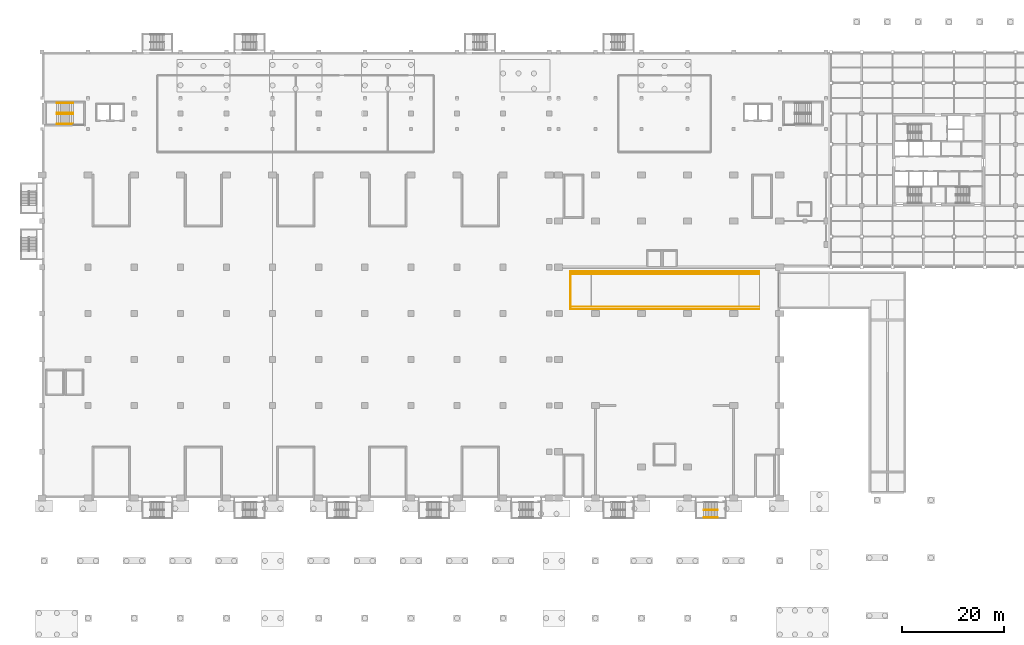
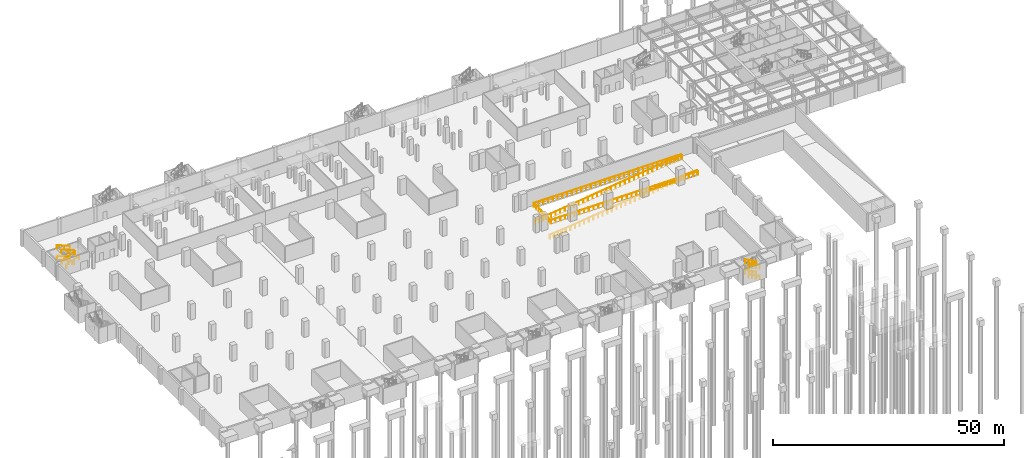
# One storey, part 25 of 27: 16 railings.
"""IFC4 building model written with IfcOpenShell, lengths in metres."""

from ifc_helpers import new_model, si_unit, direction, frame, origin, origin_2d, place, context, subcontext, project, spatial, circle, extrude, material, type_object, element, save


model = new_model("IFC4")

# Units and contexts
model_context = context("Model", 3, precision=1e-05, world=origin(), true_north=direction((0.0, 1.0)))
body_context = subcontext(model_context, "Body", "Model", "MODEL_VIEW")
ifc_project = project(units=[si_unit("LENGTHUNIT", "METRE"), si_unit("AREAUNIT", "SQUARE_METRE"), si_unit("VOLUMEUNIT", "CUBIC_METRE"), si_unit("PLANEANGLEUNIT", "RADIAN"), si_unit("MASSUNIT", "GRAM", prefix="KILO")], contexts=[model_context])

# Site, building, storey
site_placement = place(None, origin())
site = spatial("IfcSite", under=ifc_project, at=site_placement, CompositionType="ELEMENT")
building_placement = place(site_placement, origin())
building = spatial("IfcBuilding", under=site, at=building_placement, Name="Aravalli Gate Trade Fair Centre", CompositionType="ELEMENT")
storey_placement = place(building_placement, frame((0.0, 0.0, -4.199951171875)))
storey = spatial("IfcBuildingStorey", under=building, at=storey_placement, Name="B1", CompositionType="ELEMENT", Elevation=-4.199951171875)

# Railings
ifc_material = material(Name="Steel E350", Category="steel")
railing_type_1 = type_object("IfcRailingType", Name="Basement ramp guard 1100", PredefinedType="GUARDRAIL", material=ifc_material)
railing_1_placement = place(storey_placement, frame((146.0, 82.800048828125, 0.0)))
element("IfcRailing", 1, at=railing_1_placement, inside=storey, type_object=railing_type_1, Name="Ramp opening guard south", PredefinedType="GUARDRAIL", context=body_context, shape_type="SweptSolid", body=[
    extrude(circle(Radius=0.02392578125, at=origin_2d()), frame((0.0, 0.0, 1.076171875), z_axis=(-1.0, 0.0, 0.0), x_axis=(0.0, -1.0, 0.0)), (0.0, 0.0, 1.0), 36.8232421875),
    extrude(circle(Radius=0.02099609375, at=origin_2d()), origin(), (0.0, 0.0, 1.0), 1.052001953125),
    extrude(circle(Radius=0.02099609375, at=origin_2d()), frame((-1.187744140625, 0.0, 0.0)), (0.0, 0.0, 1.0), 1.052001953125),
    extrude(circle(Radius=0.02099609375, at=origin_2d()), frame((-2.375732421875, 0.0, 0.0)), (0.0, 0.0, 1.0), 1.052001953125),
    extrude(circle(Radius=0.02099609375, at=origin_2d()), frame((-3.5634765625, 0.0, 0.0)), (0.0, 0.0, 1.0), 1.052001953125),
    extrude(circle(Radius=0.02099609375, at=origin_2d()), frame((-4.75146484375, 0.0, 0.0)), (0.0, 0.0, 1.0), 1.052001953125),
    extrude(circle(Radius=0.02099609375, at=origin_2d()), frame((-5.939208984375, 0.0, 0.0)), (0.0, 0.0, 1.0), 1.052001953125),
    extrude(circle(Radius=0.02099609375, at=origin_2d()), frame((-7.127197265625, 0.0, 0.0)), (0.0, 0.0, 1.0), 1.052001953125),
    extrude(circle(Radius=0.02099609375, at=origin_2d()), frame((-8.31494140625, 0.0, 0.0)), (0.0, 0.0, 1.0), 1.052001953125),
    extrude(circle(Radius=0.02099609375, at=origin_2d()), frame((-9.502685546875, 0.0, 0.0)), (0.0, 0.0, 1.0), 1.052001953125),
    extrude(circle(Radius=0.02099609375, at=origin_2d()), frame((-10.690673828125, 0.0, 0.0)), (0.0, 0.0, 1.0), 1.052001953125),
    extrude(circle(Radius=0.02099609375, at=origin_2d()), frame((-11.87841796875, 0.0, 0.0)), (0.0, 0.0, 1.0), 1.052001953125),
    extrude(circle(Radius=0.02099609375, at=origin_2d()), frame((-13.06640625, 0.0, 0.0)), (0.0, 0.0, 1.0), 1.052001953125),
    extrude(circle(Radius=0.02099609375, at=origin_2d()), frame((-14.254150390625, 0.0, 0.0)), (0.0, 0.0, 1.0), 1.052001953125),
    extrude(circle(Radius=0.02099609375, at=origin_2d()), frame((-15.44189453125, 0.0, 0.0)), (0.0, 0.0, 1.0), 1.052001953125),
    extrude(circle(Radius=0.02099609375, at=origin_2d()), frame((-16.6298828125, 0.0, 0.0)), (0.0, 0.0, 1.0), 1.052001953125),
    extrude(circle(Radius=0.02099609375, at=origin_2d()), frame((-17.817626953125, 0.0, 0.0)), (0.0, 0.0, 1.0), 1.052001953125),
    extrude(circle(Radius=0.02099609375, at=origin_2d()), frame((-19.005615234375, 0.0, 0.0)), (0.0, 0.0, 1.0), 1.052001953125),
    extrude(circle(Radius=0.02099609375, at=origin_2d()), frame((-20.193359375, 0.0, 0.0)), (0.0, 0.0, 1.0), 1.052001953125),
    extrude(circle(Radius=0.02099609375, at=origin_2d()), frame((-21.38134765625, 0.0, 0.0)), (0.0, 0.0, 1.0), 1.052001953125),
    extrude(circle(Radius=0.02099609375, at=origin_2d()), frame((-22.569091796875, 0.0, 0.0)), (0.0, 0.0, 1.0), 1.052001953125),
    extrude(circle(Radius=0.02099609375, at=origin_2d()), frame((-23.7568359375, 0.0, 0.0)), (0.0, 0.0, 1.0), 1.052001953125),
    extrude(circle(Radius=0.02099609375, at=origin_2d()), frame((-24.94482421875, 0.0, 0.0)), (0.0, 0.0, 1.0), 1.052001953125),
    extrude(circle(Radius=0.02099609375, at=origin_2d()), frame((-26.132568359375, 0.0, 0.0)), (0.0, 0.0, 1.0), 1.052001953125),
    extrude(circle(Radius=0.02099609375, at=origin_2d()), frame((-27.320556640625, 0.0, 0.0)), (0.0, 0.0, 1.0), 1.052001953125),
    extrude(circle(Radius=0.02099609375, at=origin_2d()), frame((-28.50830078125, 0.0, 0.0)), (0.0, 0.0, 1.0), 1.052001953125),
    extrude(circle(Radius=0.02099609375, at=origin_2d()), frame((-29.696044921875, 0.0, 0.0)), (0.0, 0.0, 1.0), 1.052001953125),
    extrude(circle(Radius=0.02099609375, at=origin_2d()), frame((-30.884033203125, 0.0, 0.0)), (0.0, 0.0, 1.0), 1.052001953125),
    extrude(circle(Radius=0.02099609375, at=origin_2d()), frame((-32.07177734375, 0.0, 0.0)), (0.0, 0.0, 1.0), 1.052001953125),
    extrude(circle(Radius=0.02099609375, at=origin_2d()), frame((-33.259765625, 0.0, 0.0)), (0.0, 0.0, 1.0), 1.052001953125),
    extrude(circle(Radius=0.02099609375, at=origin_2d()), frame((-34.447509765625, 0.0, 0.0)), (0.0, 0.0, 1.0), 1.052001953125),
    extrude(circle(Radius=0.02099609375, at=origin_2d()), frame((-35.635498046875, 0.0, 0.0)), (0.0, 0.0, 1.0), 1.052001953125),
    extrude(circle(Radius=0.02099609375, at=origin_2d()), frame((-36.8232421875, 0.0, 0.0)), (0.0, 0.0, 1.0), 1.052001953125),
])
railing_2_placement = place(storey_placement, frame((146.0, 90.199951171875, 0.0)))
element("IfcRailing", 2, at=railing_2_placement, inside=storey, type_object=railing_type_1, Name="Ramp opening guard north", PredefinedType="GUARDRAIL", context=body_context, shape_type="SweptSolid", body=[
    extrude(circle(Radius=0.02392578125, at=origin_2d()), frame((0.0, 0.0, 1.076171875), z_axis=(-1.0, 0.0, 0.0), x_axis=(0.0, -1.0, 0.0)), (0.0, 0.0, 1.0), 36.8232421875),
    extrude(circle(Radius=0.02099609375, at=origin_2d()), origin(), (0.0, 0.0, 1.0), 1.052001953125),
    extrude(circle(Radius=0.02099609375, at=origin_2d()), frame((-1.187744140625, 0.0, 0.0)), (0.0, 0.0, 1.0), 1.052001953125),
    extrude(circle(Radius=0.02099609375, at=origin_2d()), frame((-2.375732421875, 0.0, 0.0)), (0.0, 0.0, 1.0), 1.052001953125),
    extrude(circle(Radius=0.02099609375, at=origin_2d()), frame((-3.5634765625, 0.0, 0.0)), (0.0, 0.0, 1.0), 1.052001953125),
    extrude(circle(Radius=0.02099609375, at=origin_2d()), frame((-4.75146484375, 0.0, 0.0)), (0.0, 0.0, 1.0), 1.052001953125),
    extrude(circle(Radius=0.02099609375, at=origin_2d()), frame((-5.939208984375, 0.0, 0.0)), (0.0, 0.0, 1.0), 1.052001953125),
    extrude(circle(Radius=0.02099609375, at=origin_2d()), frame((-7.127197265625, 0.0, 0.0)), (0.0, 0.0, 1.0), 1.052001953125),
    extrude(circle(Radius=0.02099609375, at=origin_2d()), frame((-8.31494140625, 0.0, 0.0)), (0.0, 0.0, 1.0), 1.052001953125),
    extrude(circle(Radius=0.02099609375, at=origin_2d()), frame((-9.502685546875, 0.0, 0.0)), (0.0, 0.0, 1.0), 1.052001953125),
    extrude(circle(Radius=0.02099609375, at=origin_2d()), frame((-10.690673828125, 0.0, 0.0)), (0.0, 0.0, 1.0), 1.052001953125),
    extrude(circle(Radius=0.02099609375, at=origin_2d()), frame((-11.87841796875, 0.0, 0.0)), (0.0, 0.0, 1.0), 1.052001953125),
    extrude(circle(Radius=0.02099609375, at=origin_2d()), frame((-13.06640625, 0.0, 0.0)), (0.0, 0.0, 1.0), 1.052001953125),
    extrude(circle(Radius=0.02099609375, at=origin_2d()), frame((-14.254150390625, 0.0, 0.0)), (0.0, 0.0, 1.0), 1.052001953125),
    extrude(circle(Radius=0.02099609375, at=origin_2d()), frame((-15.44189453125, 0.0, 0.0)), (0.0, 0.0, 1.0), 1.052001953125),
    extrude(circle(Radius=0.02099609375, at=origin_2d()), frame((-16.6298828125, 0.0, 0.0)), (0.0, 0.0, 1.0), 1.052001953125),
    extrude(circle(Radius=0.02099609375, at=origin_2d()), frame((-17.817626953125, 0.0, 0.0)), (0.0, 0.0, 1.0), 1.052001953125),
    extrude(circle(Radius=0.02099609375, at=origin_2d()), frame((-19.005615234375, 0.0, 0.0)), (0.0, 0.0, 1.0), 1.052001953125),
    extrude(circle(Radius=0.02099609375, at=origin_2d()), frame((-20.193359375, 0.0, 0.0)), (0.0, 0.0, 1.0), 1.052001953125),
    extrude(circle(Radius=0.02099609375, at=origin_2d()), frame((-21.38134765625, 0.0, 0.0)), (0.0, 0.0, 1.0), 1.052001953125),
    extrude(circle(Radius=0.02099609375, at=origin_2d()), frame((-22.569091796875, 0.0, 0.0)), (0.0, 0.0, 1.0), 1.052001953125),
    extrude(circle(Radius=0.02099609375, at=origin_2d()), frame((-23.7568359375, 0.0, 0.0)), (0.0, 0.0, 1.0), 1.052001953125),
    extrude(circle(Radius=0.02099609375, at=origin_2d()), frame((-24.94482421875, 0.0, 0.0)), (0.0, 0.0, 1.0), 1.052001953125),
    extrude(circle(Radius=0.02099609375, at=origin_2d()), frame((-26.132568359375, 0.0, 0.0)), (0.0, 0.0, 1.0), 1.052001953125),
    extrude(circle(Radius=0.02099609375, at=origin_2d()), frame((-27.320556640625, 0.0, 0.0)), (0.0, 0.0, 1.0), 1.052001953125),
    extrude(circle(Radius=0.02099609375, at=origin_2d()), frame((-28.50830078125, 0.0, 0.0)), (0.0, 0.0, 1.0), 1.052001953125),
    extrude(circle(Radius=0.02099609375, at=origin_2d()), frame((-29.696044921875, 0.0, 0.0)), (0.0, 0.0, 1.0), 1.052001953125),
    extrude(circle(Radius=0.02099609375, at=origin_2d()), frame((-30.884033203125, 0.0, 0.0)), (0.0, 0.0, 1.0), 1.052001953125),
    extrude(circle(Radius=0.02099609375, at=origin_2d()), frame((-32.07177734375, 0.0, 0.0)), (0.0, 0.0, 1.0), 1.052001953125),
    extrude(circle(Radius=0.02099609375, at=origin_2d()), frame((-33.259765625, 0.0, 0.0)), (0.0, 0.0, 1.0), 1.052001953125),
    extrude(circle(Radius=0.02099609375, at=origin_2d()), frame((-34.447509765625, 0.0, 0.0)), (0.0, 0.0, 1.0), 1.052001953125),
    extrude(circle(Radius=0.02099609375, at=origin_2d()), frame((-35.635498046875, 0.0, 0.0)), (0.0, 0.0, 1.0), 1.052001953125),
    extrude(circle(Radius=0.02099609375, at=origin_2d()), frame((-36.8232421875, 0.0, 0.0)), (0.0, 0.0, 1.0), 1.052001953125),
])
railing_3_placement = place(storey_placement, frame((146.0, 83.300048828125, 0.0)))
element("IfcRailing", 3, at=railing_3_placement, inside=storey, type_object=railing_type_1, Name="Ramp edge guard south", PredefinedType="GUARDRAIL", context=body_context, shape_type="SweptSolid", body=[
    extrude(circle(Radius=0.02392578125, at=origin_2d()), frame((0.0, 0.0, 1.076171875), z_axis=(-0.998052578483, 0.0, -0.062378286155), x_axis=(0.0, -1.0, 0.0)), (0.0, 0.0, 1.0), 4.0078125),
    extrude(circle(Radius=0.02392578125, at=origin_2d()), frame((-4.0, 0.0, 0.826171875), z_axis=(-0.992277359483, 0.0, -0.124038872364), x_axis=(0.0, -1.0, 0.0)), (0.0, 0.0, 1.0), 29.047607421875),
    extrude(circle(Radius=0.02392578125, at=origin_2d()), frame((-32.8232421875, 0.0, -2.77685546875), z_axis=(-0.996259957545, 0.0, -0.08640657957), x_axis=(0.0, -1.0, 0.0)), (0.0, 0.0, 1.0), 4.01513671875),
    extrude(circle(Radius=0.02099609375, at=origin_2d()), origin(), (0.0, 0.0, 1.0), 1.052001953125),
    extrude(circle(Radius=0.02099609375, at=origin_2d()), frame((-1.0, 0.0, -0.0625)), (0.0, 0.0, 1.0), 1.052001953125),
    extrude(circle(Radius=0.02099609375, at=origin_2d()), frame((-2.0, 0.0, -0.125)), (0.0, 0.0, 1.0), 1.052001953125),
    extrude(circle(Radius=0.02099609375, at=origin_2d()), frame((-3.0, 0.0, -0.1875)), (0.0, 0.0, 1.0), 1.052001953125),
    extrude(circle(Radius=0.02099609375, at=origin_2d()), frame((-4.0, 0.0, -0.25)), (0.0, 0.0, 1.0), 1.052001953125),
    extrude(circle(Radius=0.02099609375, at=origin_2d()), frame((-5.15283203125, 0.0, -0.39404296875)), (0.0, 0.0, 1.0), 1.052001953125),
    extrude(circle(Radius=0.02099609375, at=origin_2d()), frame((-6.305908203125, 0.0, -0.538330078125)), (0.0, 0.0, 1.0), 1.052001953125),
    extrude(circle(Radius=0.02099609375, at=origin_2d()), frame((-7.458740234375, 0.0, -0.682373046875)), (0.0, 0.0, 1.0), 1.052001953125),
    extrude(circle(Radius=0.02099609375, at=origin_2d()), frame((-8.61181640625, 0.0, -0.826416015625)), (0.0, 0.0, 1.0), 1.052001953125),
    extrude(circle(Radius=0.02099609375, at=origin_2d()), frame((-9.7646484375, 0.0, -0.970703125)), (0.0, 0.0, 1.0), 1.052001953125),
    extrude(circle(Radius=0.02099609375, at=origin_2d()), frame((-10.91748046875, 0.0, -1.11474609375)), (0.0, 0.0, 1.0), 1.052001953125),
    extrude(circle(Radius=0.02099609375, at=origin_2d()), frame((-12.070556640625, 0.0, -1.2587890625)), (0.0, 0.0, 1.0), 1.052001953125),
    extrude(circle(Radius=0.02099609375, at=origin_2d()), frame((-13.223388671875, 0.0, -1.403076171875)), (0.0, 0.0, 1.0), 1.052001953125),
    extrude(circle(Radius=0.02099609375, at=origin_2d()), frame((-14.37646484375, 0.0, -1.547119140625)), (0.0, 0.0, 1.0), 1.052001953125),
    extrude(circle(Radius=0.02099609375, at=origin_2d()), frame((-15.529296875, 0.0, -1.691162109375)), (0.0, 0.0, 1.0), 1.052001953125),
    extrude(circle(Radius=0.02099609375, at=origin_2d()), frame((-16.68212890625, 0.0, -1.83544921875)), (0.0, 0.0, 1.0), 1.052001953125),
    extrude(circle(Radius=0.02099609375, at=origin_2d()), frame((-17.835205078125, 0.0, -1.9794921875)), (0.0, 0.0, 1.0), 1.052001953125),
    extrude(circle(Radius=0.02099609375, at=origin_2d()), frame((-18.988037109375, 0.0, -2.12353515625)), (0.0, 0.0, 1.0), 1.052001953125),
    extrude(circle(Radius=0.02099609375, at=origin_2d()), frame((-20.14111328125, 0.0, -2.267578125)), (0.0, 0.0, 1.0), 1.052001953125),
    extrude(circle(Radius=0.02099609375, at=origin_2d()), frame((-21.2939453125, 0.0, -2.411865234375)), (0.0, 0.0, 1.0), 1.052001953125),
    extrude(circle(Radius=0.02099609375, at=origin_2d()), frame((-22.44677734375, 0.0, -2.555908203125)), (0.0, 0.0, 1.0), 1.052001953125),
    extrude(circle(Radius=0.02099609375, at=origin_2d()), frame((-23.599853515625, 0.0, -2.699951171875)), (0.0, 0.0, 1.0), 1.052001953125),
    extrude(circle(Radius=0.02099609375, at=origin_2d()), frame((-24.752685546875, 0.0, -2.84423828125)), (0.0, 0.0, 1.0), 1.052001953125),
    extrude(circle(Radius=0.02099609375, at=origin_2d()), frame((-25.90576171875, 0.0, -2.98828125)), (0.0, 0.0, 1.0), 1.052001953125),
    extrude(circle(Radius=0.02099609375, at=origin_2d()), frame((-27.05859375, 0.0, -3.13232421875)), (0.0, 0.0, 1.0), 1.052001953125),
    extrude(circle(Radius=0.02099609375, at=origin_2d()), frame((-28.21142578125, 0.0, -3.276611328125)), (0.0, 0.0, 1.0), 1.052001953125),
    extrude(circle(Radius=0.02099609375, at=origin_2d()), frame((-29.364501953125, 0.0, -3.420654296875)), (0.0, 0.0, 1.0), 1.052001953125),
    extrude(circle(Radius=0.02099609375, at=origin_2d()), frame((-30.517333984375, 0.0, -3.564697265625)), (0.0, 0.0, 1.0), 1.052001953125),
    extrude(circle(Radius=0.02099609375, at=origin_2d()), frame((-31.67041015625, 0.0, -3.708984375)), (0.0, 0.0, 1.0), 1.052001953125),
    extrude(circle(Radius=0.02099609375, at=origin_2d()), frame((-32.8232421875, 0.0, -3.85302734375)), (0.0, 0.0, 1.0), 1.052001953125),
    extrude(circle(Radius=0.02099609375, at=origin_2d()), frame((-33.8232421875, 0.0, -3.939697265625)), (0.0, 0.0, 1.0), 1.052001953125),
    extrude(circle(Radius=0.02099609375, at=origin_2d()), frame((-34.8232421875, 0.0, -4.0263671875)), (0.0, 0.0, 1.0), 1.052001953125),
    extrude(circle(Radius=0.02099609375, at=origin_2d()), frame((-35.8232421875, 0.0, -4.11328125)), (0.0, 0.0, 1.0), 1.052001953125),
    extrude(circle(Radius=0.02099609375, at=origin_2d()), frame((-36.8232421875, 0.0, -4.199951171875)), (0.0, 0.0, 1.0), 1.052001953125),
])
railing_4_placement = place(storey_placement, frame((146.0, 89.699951171875, 0.0)))
element("IfcRailing", 4, at=railing_4_placement, inside=storey, type_object=railing_type_1, Name="Ramp edge guard north", PredefinedType="GUARDRAIL", context=body_context, shape_type="SweptSolid", body=[
    extrude(circle(Radius=0.02392578125, at=origin_2d()), frame((0.0, 0.0, 1.076171875), z_axis=(-0.998052578483, 0.0, -0.062378286155), x_axis=(0.0, -1.0, 0.0)), (0.0, 0.0, 1.0), 4.0078125),
    extrude(circle(Radius=0.02392578125, at=origin_2d()), frame((-4.0, 0.0, 0.826171875), z_axis=(-0.992277359483, 0.0, -0.124038872364), x_axis=(0.0, -1.0, 0.0)), (0.0, 0.0, 1.0), 29.047607421875),
    extrude(circle(Radius=0.02392578125, at=origin_2d()), frame((-32.8232421875, 0.0, -2.77685546875), z_axis=(-0.996259957545, 0.0, -0.08640657957), x_axis=(0.0, -1.0, 0.0)), (0.0, 0.0, 1.0), 4.01513671875),
    extrude(circle(Radius=0.02099609375, at=origin_2d()), origin(), (0.0, 0.0, 1.0), 1.052001953125),
    extrude(circle(Radius=0.02099609375, at=origin_2d()), frame((-1.0, 0.0, -0.0625)), (0.0, 0.0, 1.0), 1.052001953125),
    extrude(circle(Radius=0.02099609375, at=origin_2d()), frame((-2.0, 0.0, -0.125)), (0.0, 0.0, 1.0), 1.052001953125),
    extrude(circle(Radius=0.02099609375, at=origin_2d()), frame((-3.0, 0.0, -0.1875)), (0.0, 0.0, 1.0), 1.052001953125),
    extrude(circle(Radius=0.02099609375, at=origin_2d()), frame((-4.0, 0.0, -0.25)), (0.0, 0.0, 1.0), 1.052001953125),
    extrude(circle(Radius=0.02099609375, at=origin_2d()), frame((-5.15283203125, 0.0, -0.39404296875)), (0.0, 0.0, 1.0), 1.052001953125),
    extrude(circle(Radius=0.02099609375, at=origin_2d()), frame((-6.305908203125, 0.0, -0.538330078125)), (0.0, 0.0, 1.0), 1.052001953125),
    extrude(circle(Radius=0.02099609375, at=origin_2d()), frame((-7.458740234375, 0.0, -0.682373046875)), (0.0, 0.0, 1.0), 1.052001953125),
    extrude(circle(Radius=0.02099609375, at=origin_2d()), frame((-8.61181640625, 0.0, -0.826416015625)), (0.0, 0.0, 1.0), 1.052001953125),
    extrude(circle(Radius=0.02099609375, at=origin_2d()), frame((-9.7646484375, 0.0, -0.970703125)), (0.0, 0.0, 1.0), 1.052001953125),
    extrude(circle(Radius=0.02099609375, at=origin_2d()), frame((-10.91748046875, 0.0, -1.11474609375)), (0.0, 0.0, 1.0), 1.052001953125),
    extrude(circle(Radius=0.02099609375, at=origin_2d()), frame((-12.070556640625, 0.0, -1.2587890625)), (0.0, 0.0, 1.0), 1.052001953125),
    extrude(circle(Radius=0.02099609375, at=origin_2d()), frame((-13.223388671875, 0.0, -1.403076171875)), (0.0, 0.0, 1.0), 1.052001953125),
    extrude(circle(Radius=0.02099609375, at=origin_2d()), frame((-14.37646484375, 0.0, -1.547119140625)), (0.0, 0.0, 1.0), 1.052001953125),
    extrude(circle(Radius=0.02099609375, at=origin_2d()), frame((-15.529296875, 0.0, -1.691162109375)), (0.0, 0.0, 1.0), 1.052001953125),
    extrude(circle(Radius=0.02099609375, at=origin_2d()), frame((-16.68212890625, 0.0, -1.83544921875)), (0.0, 0.0, 1.0), 1.052001953125),
    extrude(circle(Radius=0.02099609375, at=origin_2d()), frame((-17.835205078125, 0.0, -1.9794921875)), (0.0, 0.0, 1.0), 1.052001953125),
    extrude(circle(Radius=0.02099609375, at=origin_2d()), frame((-18.988037109375, 0.0, -2.12353515625)), (0.0, 0.0, 1.0), 1.052001953125),
    extrude(circle(Radius=0.02099609375, at=origin_2d()), frame((-20.14111328125, 0.0, -2.267578125)), (0.0, 0.0, 1.0), 1.052001953125),
    extrude(circle(Radius=0.02099609375, at=origin_2d()), frame((-21.2939453125, 0.0, -2.411865234375)), (0.0, 0.0, 1.0), 1.052001953125),
    extrude(circle(Radius=0.02099609375, at=origin_2d()), frame((-22.44677734375, 0.0, -2.555908203125)), (0.0, 0.0, 1.0), 1.052001953125),
    extrude(circle(Radius=0.02099609375, at=origin_2d()), frame((-23.599853515625, 0.0, -2.699951171875)), (0.0, 0.0, 1.0), 1.052001953125),
    extrude(circle(Radius=0.02099609375, at=origin_2d()), frame((-24.752685546875, 0.0, -2.84423828125)), (0.0, 0.0, 1.0), 1.052001953125),
    extrude(circle(Radius=0.02099609375, at=origin_2d()), frame((-25.90576171875, 0.0, -2.98828125)), (0.0, 0.0, 1.0), 1.052001953125),
    extrude(circle(Radius=0.02099609375, at=origin_2d()), frame((-27.05859375, 0.0, -3.13232421875)), (0.0, 0.0, 1.0), 1.052001953125),
    extrude(circle(Radius=0.02099609375, at=origin_2d()), frame((-28.21142578125, 0.0, -3.276611328125)), (0.0, 0.0, 1.0), 1.052001953125),
    extrude(circle(Radius=0.02099609375, at=origin_2d()), frame((-29.364501953125, 0.0, -3.420654296875)), (0.0, 0.0, 1.0), 1.052001953125),
    extrude(circle(Radius=0.02099609375, at=origin_2d()), frame((-30.517333984375, 0.0, -3.564697265625)), (0.0, 0.0, 1.0), 1.052001953125),
    extrude(circle(Radius=0.02099609375, at=origin_2d()), frame((-31.67041015625, 0.0, -3.708984375)), (0.0, 0.0, 1.0), 1.052001953125),
    extrude(circle(Radius=0.02099609375, at=origin_2d()), frame((-32.8232421875, 0.0, -3.85302734375)), (0.0, 0.0, 1.0), 1.052001953125),
    extrude(circle(Radius=0.02099609375, at=origin_2d()), frame((-33.8232421875, 0.0, -3.939697265625)), (0.0, 0.0, 1.0), 1.052001953125),
    extrude(circle(Radius=0.02099609375, at=origin_2d()), frame((-34.8232421875, 0.0, -4.0263671875)), (0.0, 0.0, 1.0), 1.052001953125),
    extrude(circle(Radius=0.02099609375, at=origin_2d()), frame((-35.8232421875, 0.0, -4.11328125)), (0.0, 0.0, 1.0), 1.052001953125),
    extrude(circle(Radius=0.02099609375, at=origin_2d()), frame((-36.8232421875, 0.0, -4.199951171875)), (0.0, 0.0, 1.0), 1.052001953125),
])
railing_5_placement = place(storey_placement, frame((109.126708984375, 82.800048828125, 0.0)))
element("IfcRailing", 5, at=railing_5_placement, inside=storey, type_object=railing_type_1, Name="Ramp opening guard end", PredefinedType="GUARDRAIL", context=body_context, shape_type="SweptSolid", body=[
    extrude(circle(Radius=0.02392578125, at=origin_2d()), frame((0.0, 0.0, 1.076171875), z_axis=(0.0, 1.0, 0.0), x_axis=(-1.0, 0.0, 0.0)), (0.0, 0.0, 1.0), 7.39990234375),
    extrude(circle(Radius=0.02099609375, at=origin_2d()), origin(), (0.0, 0.0, 1.0), 1.052001953125),
    extrude(circle(Radius=0.02099609375, at=origin_2d()), frame((0.0, 1.05712890625, 0.0)), (0.0, 0.0, 1.0), 1.052001953125),
    extrude(circle(Radius=0.02099609375, at=origin_2d()), frame((0.0, 2.1142578125, 0.0)), (0.0, 0.0, 1.0), 1.052001953125),
    extrude(circle(Radius=0.02099609375, at=origin_2d()), frame((0.0, 3.17138671875, 0.0)), (0.0, 0.0, 1.0), 1.052001953125),
    extrude(circle(Radius=0.02099609375, at=origin_2d()), frame((0.0, 4.228515625, 0.0)), (0.0, 0.0, 1.0), 1.052001953125),
    extrude(circle(Radius=0.02099609375, at=origin_2d()), frame((0.0, 5.28564453125, 0.0)), (0.0, 0.0, 1.0), 1.052001953125),
    extrude(circle(Radius=0.02099609375, at=origin_2d()), frame((0.0, 6.3427734375, 0.0)), (0.0, 0.0, 1.0), 1.052001953125),
    extrude(circle(Radius=0.02099609375, at=origin_2d()), frame((0.0, 7.39990234375, 0.0)), (0.0, 0.0, 1.0), 1.052001953125),
])
railing_type_2 = type_object("IfcRailingType", Name="Basement stair guard 1100", PredefinedType="GUARDRAIL", material=ifc_material)
railing_6_placement = place(storey_placement, frame((137.85009765625, 43.64990234375, 0.0)))
element("IfcRailing", 6, at=railing_6_placement, inside=storey, type_object=railing_type_2, Name="Basement stair S7 guard A B1", PredefinedType="GUARDRAIL", context=body_context, shape_type="SweptSolid", body=[
    extrude(circle(Radius=0.02392578125, at=origin_2d()), frame((0.0, 0.0, 1.076171875), z_axis=(-0.887781257544, 0.0, 0.460265617609), x_axis=(0.0, -1.0, 0.0)), (0.0, 0.0, 1.0), 3.04150390625),
    extrude(circle(Radius=0.02099609375, at=origin_2d()), origin(), (0.0, 0.0, 1.0), 1.052001953125),
    extrude(circle(Radius=0.02099609375, at=origin_2d()), frame((-0.900146484375, 0.0, 0.466552734375)), (0.0, 0.0, 1.0), 1.052001953125),
    extrude(circle(Radius=0.02099609375, at=origin_2d()), frame((-1.800048828125, 0.0, 0.933349609375)), (0.0, 0.0, 1.0), 1.052001953125),
    extrude(circle(Radius=0.02099609375, at=origin_2d()), frame((-2.7001953125, 0.0, 1.39990234375)), (0.0, 0.0, 1.0), 1.052001953125),
])
railing_7_placement = place(storey_placement, frame((135.14990234375, 43.64990234375, 1.39990234375)))
element("IfcRailing", 7, at=railing_7_placement, inside=storey, type_object=railing_type_2, Name="Basement stair S7 guard B B1", PredefinedType="GUARDRAIL", context=body_context, shape_type="SweptSolid", body=[
    extrude(circle(Radius=0.02392578125, at=origin_2d()), frame((0.0, 0.0, 1.076171875), z_axis=(0.887748457143, 0.0, 0.460328878998), x_axis=(0.0, 1.0, 0.0)), (0.0, 0.0, 1.0), 3.04150390625),
    extrude(circle(Radius=0.02099609375, at=origin_2d()), origin(), (0.0, 0.0, 1.0), 1.052001953125),
    extrude(circle(Radius=0.02099609375, at=origin_2d()), frame((0.900146484375, 0.0, 0.466796875)), (0.0, 0.0, 1.0), 1.052001953125),
    extrude(circle(Radius=0.02099609375, at=origin_2d()), frame((1.800048828125, 0.0, 0.933349609375)), (0.0, 0.0, 1.0), 1.052001953125),
    extrude(circle(Radius=0.02099609375, at=origin_2d()), frame((2.7001953125, 0.0, 1.400146484375)), (0.0, 0.0, 1.0), 1.052001953125),
])
railing_8_placement = place(storey_placement, frame((137.85009765625, 43.64990234375, 2.800048828125)))
element("IfcRailing", 8, at=railing_8_placement, inside=storey, type_object=railing_type_2, Name="Basement stair S7 guard C B1", PredefinedType="GUARDRAIL", context=body_context, shape_type="SweptSolid", body=[
    extrude(circle(Radius=0.02392578125, at=origin_2d()), frame((0.0, 0.0, 1.076171875), z_axis=(-0.887781257544, 0.0, 0.460265617609), x_axis=(0.0, -1.0, 0.0)), (0.0, 0.0, 1.0), 3.04150390625),
    extrude(circle(Radius=0.02099609375, at=origin_2d()), origin(), (0.0, 0.0, 1.0), 1.052001953125),
    extrude(circle(Radius=0.02099609375, at=origin_2d()), frame((-0.900146484375, 0.0, 0.466552734375)), (0.0, 0.0, 1.0), 1.052001953125),
    extrude(circle(Radius=0.02099609375, at=origin_2d()), frame((-1.800048828125, 0.0, 0.933349609375)), (0.0, 0.0, 1.0), 1.052001953125),
    extrude(circle(Radius=0.02099609375, at=origin_2d()), frame((-2.7001953125, 0.0, 1.39990234375)), (0.0, 0.0, 1.0), 1.052001953125),
])
railing_type_3 = type_object("IfcRailingType", Name="Basement stair handrail 900", PredefinedType="HANDRAIL", material=ifc_material)
for number, where, name in (
    (9, (137.85009765625, 42.14990234375, 0.0), "Basement stair S7 handrail A B1"),
    (10, (137.85009765625, 42.14990234375, 2.800048828125), "Basement stair S7 handrail C B1"),
):
    element("IfcRailing", number, at=place(storey_placement, frame(where)), inside=storey, type_object=railing_type_3, Name=name, PredefinedType="HANDRAIL", context=body_context, shape_type="SweptSolid", body=[
        extrude(circle(Radius=0.02392578125, at=origin_2d()), frame((0.0, 0.0, 0.8759765625), z_axis=(-0.887781257544, 0.0, 0.460265617609), x_axis=(0.0, -1.0, 0.0)), (0.0, 0.0, 1.0), 3.04150390625),
        extrude(circle(Radius=0.02099609375, at=origin_2d()), origin(), (0.0, 0.0, 1.0), 0.851806640625),
        extrude(circle(Radius=0.02099609375, at=origin_2d()), frame((-0.900146484375, 0.0, 0.466552734375)), (0.0, 0.0, 1.0), 0.851806640625),
        extrude(circle(Radius=0.02099609375, at=origin_2d()), frame((-1.800048828125, 0.0, 0.933349609375)), (0.0, 0.0, 1.0), 0.851806640625),
        extrude(circle(Radius=0.02099609375, at=origin_2d()), frame((-2.7001953125, 0.0, 1.39990234375)), (0.0, 0.0, 1.0), 0.851806640625),
    ])
railing_type_4 = type_object("IfcRailingType", Name="Concourse stair handrail 900", PredefinedType="HANDRAIL", material=ifc_material)
for number, where, name in (
    (11, (12.10009765625, 123.050048828125, 0.139892578125), "Handrail WS B1 flight 1o"),
    (12, (12.10009765625, 121.14990234375, 0.139892578125), "Handrail WS B1 flight 1i"),
):
    element("IfcRailing", number, at=place(storey_placement, frame(where)), inside=storey, type_object=railing_type_4, Name=name, PredefinedType="HANDRAIL", context=body_context, shape_type="SweptSolid", body=[
        extrude(circle(Radius=0.02392578125, at=origin_2d()), frame((0.0, 0.0, 0.8759765625), z_axis=(-0.932007636548, 0.0, 0.362438636759), x_axis=(0.0, -1.0, 0.0)), (0.0, 0.0, 1.0), 1.545166015625),
        extrude(circle(Radius=0.02392578125, at=origin_2d()), frame((-1.440185546875, 0.0, 1.43603515625), z_axis=(-0.931999926314, 0.0, 0.362458462933), x_axis=(0.0, -1.0, 0.0)), (0.0, 0.0, 1.0), 1.93115234375),
        extrude(circle(Radius=0.02099609375, at=origin_2d()), origin(), (0.0, 0.0, 1.0), 0.851806640625),
        extrude(circle(Radius=0.02099609375, at=origin_2d()), frame((-1.440185546875, 0.0, 0.56005859375)), (0.0, 0.0, 1.0), 0.851806640625),
        extrude(circle(Radius=0.02099609375, at=origin_2d()), frame((-3.239990234375, 0.0, 1.260009765625)), (0.0, 0.0, 1.0), 0.851806640625),
    ])
for number, where, name in (
    (13, (8.860107421875, 118.949951171875, 1.5400390625), "Handrail WS B1 flight 2o"),
    (14, (8.860107421875, 120.85009765625, 1.5400390625), "Handrail WS B1 flight 2i"),
):
    element("IfcRailing", number, at=place(storey_placement, frame(where)), inside=storey, type_object=railing_type_4, Name=name, PredefinedType="HANDRAIL", context=body_context, shape_type="SweptSolid", body=[
        extrude(circle(Radius=0.02392578125, at=origin_2d()), frame((0.0, 0.0, 0.8759765625), z_axis=(0.932040254784, 0.0, 0.362354748088), x_axis=(0.0, 1.0, 0.0)), (0.0, 0.0, 1.0), 1.544921875),
        extrude(circle(Radius=0.02392578125, at=origin_2d()), frame((1.43994140625, 0.0, 1.435546875), z_axis=(0.931973829753, 0.0, 0.362525558624), x_axis=(0.0, 1.0, 0.0)), (0.0, 0.0, 1.0), 1.931396484375),
        extrude(circle(Radius=0.02099609375, at=origin_2d()), origin(), (0.0, 0.0, 1.0), 0.851806640625),
        extrude(circle(Radius=0.02099609375, at=origin_2d()), frame((1.43994140625, 0.0, 0.559814453125)), (0.0, 0.0, 1.0), 0.851806640625),
        extrude(circle(Radius=0.02099609375, at=origin_2d()), frame((3.239990234375, 0.0, 1.260009765625)), (0.0, 0.0, 1.0), 0.851806640625),
    ])
for number, where, name in (
    (15, (12.10009765625, 123.050048828125, 2.93994140625), "Handrail WS B1 flight 3o"),
    (16, (12.10009765625, 121.14990234375, 2.93994140625), "Handrail WS B1 flight 3i"),
):
    element("IfcRailing", number, at=place(storey_placement, frame(where)), inside=storey, type_object=railing_type_4, Name=name, PredefinedType="HANDRAIL", context=body_context, shape_type="SweptSolid", body=[
        extrude(circle(Radius=0.02392578125, at=origin_2d()), frame((0.0, 0.0, 0.8759765625), z_axis=(-0.932007636548, 0.0, 0.362438636759), x_axis=(0.0, -1.0, 0.0)), (0.0, 0.0, 1.0), 1.545166015625),
        extrude(circle(Radius=0.02392578125, at=origin_2d()), frame((-1.440185546875, 0.0, 1.43603515625), z_axis=(-0.931999926314, 0.0, 0.362458462933), x_axis=(0.0, -1.0, 0.0)), (0.0, 0.0, 1.0), 1.93115234375),
        extrude(circle(Radius=0.02099609375, at=origin_2d()), origin(), (0.0, 0.0, 1.0), 0.851806640625),
        extrude(circle(Radius=0.02099609375, at=origin_2d()), frame((-1.440185546875, 0.0, 0.56005859375)), (0.0, 0.0, 1.0), 0.851806640625),
        extrude(circle(Radius=0.02099609375, at=origin_2d()), frame((-3.239990234375, 0.0, 1.260009765625)), (0.0, 0.0, 1.0), 0.851806640625),
    ])

save(model, "model.ifc")
